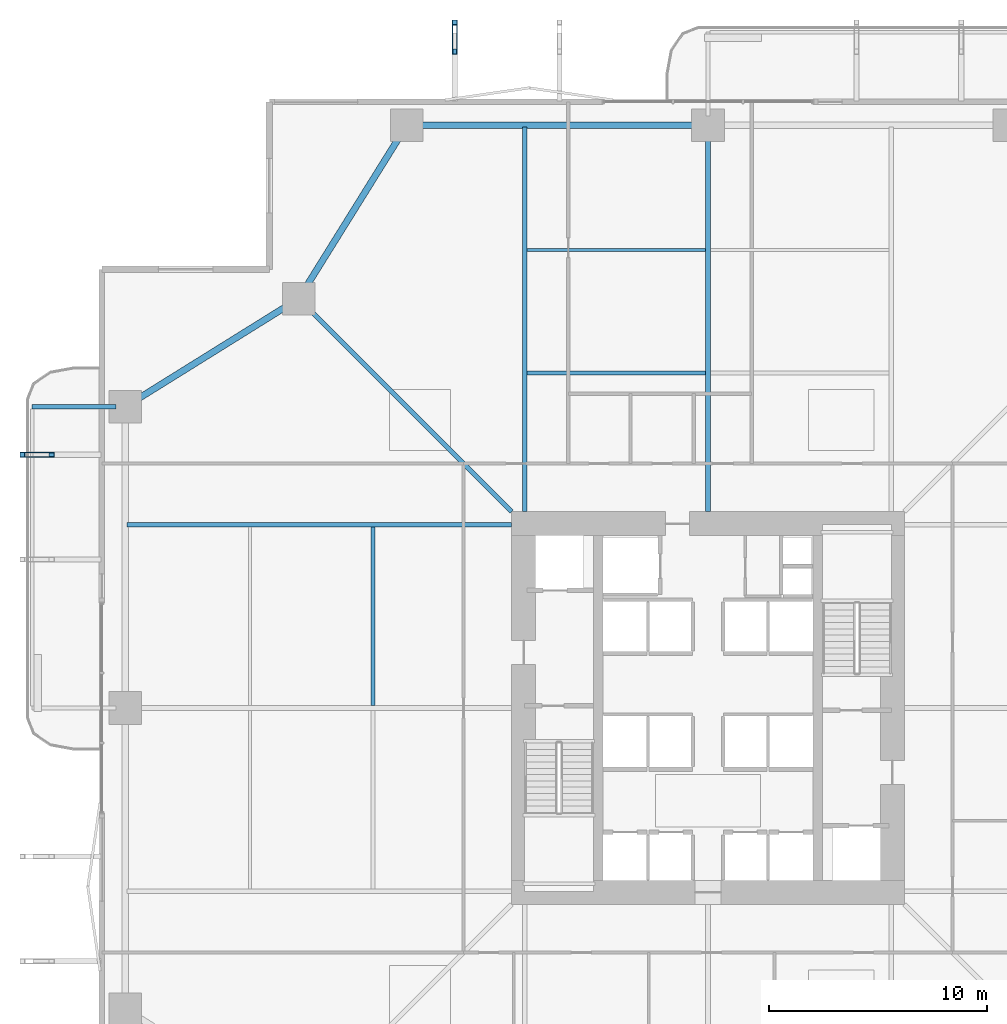
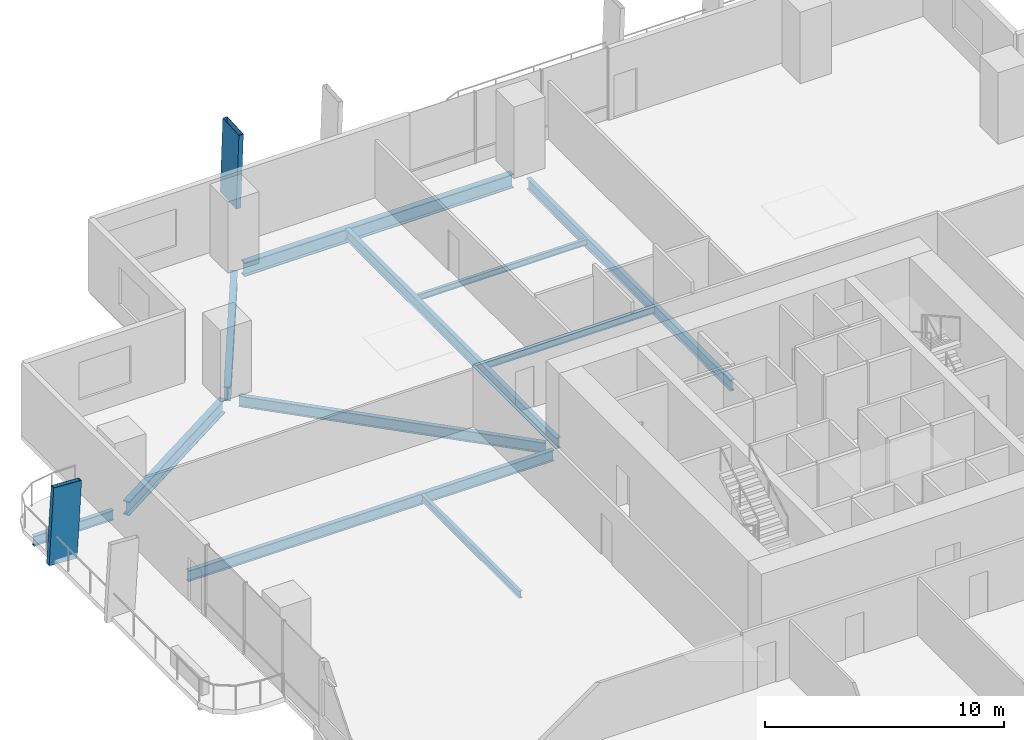
# One storey, part 10 of 23: 11 beams, 2 members.
"""IFC4 building model written with IfcOpenShell, lengths in metres."""

from ifc_helpers import new_model, si_unit, direction, frame, origin, origin_2d, place, context, subcontext, project, spatial, hollow_rectangle, i_section, extrude, material, material_profile, profile_set, type_object, element, save


model = new_model("IFC4")

# Units and contexts
model_context = context("Model", 3, precision=1e-05, world=origin(), true_north=direction((0.0, 1.0)))
body_context = subcontext(model_context, "Body", "Model", "MODEL_VIEW")
ifc_project = project(units=[si_unit("LENGTHUNIT", "METRE"), si_unit("AREAUNIT", "SQUARE_METRE"), si_unit("VOLUMEUNIT", "CUBIC_METRE"), si_unit("PLANEANGLEUNIT", "RADIAN"), si_unit("MASSUNIT", "GRAM", prefix="KILO")], contexts=[model_context])

# Site, building, storey
site_placement = place(None, origin())
site = spatial("IfcSite", under=ifc_project, at=site_placement, CompositionType="ELEMENT")
building_placement = place(site_placement, origin())
building = spatial("IfcBuilding", under=site, at=building_placement, Name="Belovzor Exchange Tower", CompositionType="ELEMENT")
storey_placement = place(building_placement, frame((0.0, 0.0, 41.699951171875)))
storey = spatial("IfcBuildingStorey", under=building, at=storey_placement, Name="L09", CompositionType="ELEMENT", Elevation=41.699951171875)

# Members
ifc_material_1 = material(Name="Extruded Architectural Terracotta on Steel S355 Carrier", Category="masonry")
ifc_material_profile_1 = material_profile(ifc_material_1, hollow_rectangle(XDim=0.219970703125, YDim=1.35009765625, WallThickness=0.013916015625, at=origin_2d()))
ifc_profile_set_1 = profile_set([ifc_material_profile_1], Name="Extruded Architectural Terracotta on Steel S355 Carrier")
member_type = type_object("IfcMemberType", Name="Base Arc Sweeping Terracotta Pylon Fin 1450", PredefinedType="USERDEFINED", material=ifc_profile_set_1)
for number, where, z_axis, x_axis, name in (
    (1, (17.199951171875, 59.64599609375, -0.25), (0.0, -0.057619293609, 0.998338628424), (1.0, 0.0, 0.0), "FIN-TC145 Terracotta Facade Fin L09 N1"),
    (2, (-2.0458984375, 40.39990234375, -0.25), (0.05755700694, 0.0, 0.998342221361), (0.0, 1.0, 0.0), "FIN-TC145 Terracotta Facade Fin L09 W4"),
):
    element("IfcMember", number, at=place(storey_placement, frame(where, z_axis=z_axis, x_axis=x_axis)), inside=storey, type_object=member_type, Name=name, ObjectType="FIN", PredefinedType="USERDEFINED", context=body_context, shape_type="SweptSolid", body=[
        extrude(hollow_rectangle(XDim=0.219970703125, YDim=1.35009765625, WallThickness=0.013916015625, at=origin_2d()), origin(), (0.0, 0.0, 1.0), 3.90673828125),
    ])

# Beams
ifc_material_2 = material(Name="Steel S355", Category="steel")
ifc_material_profile_2 = material_profile(ifc_material_2, i_section(OverallWidth=0.199951171875, OverallDepth=0.5, WebThickness=0.01025390625, FlangeThickness=0.01611328125, at=origin_2d()))
ifc_profile_set_2 = profile_set([ifc_material_profile_2], Name="Steel S355")
beam_type_1 = type_object("IfcBeamType", Name="Planted Balcony Cantilever Beam IPE 500", PredefinedType="BEAM", material=ifc_profile_set_2)
beam_1_placement = place(storey_placement, frame((1.68798828125, 42.60009765625, -0.5), z_axis=(-1.0, 0.0, 0.0), x_axis=(0.0, -1.0, 0.0)))
element("IfcBeam", 3, at=beam_1_placement, inside=storey, type_object=beam_type_1, Name="BC-500 Planted Balcony Cantilever Beam IPE 500", PredefinedType="BEAM", context=body_context, shape_type="SweptSolid", body=[
    extrude(i_section(OverallWidth=0.199951171875, OverallDepth=0.5, WebThickness=0.01025390625, FlangeThickness=0.01611328125, at=origin_2d()), origin(), (0.0, 0.0, 1.0), 3.85009765625),
])
ifc_material_3 = material(Name="Steel S355", Category="steel")
ifc_material_profile_3 = material_profile(ifc_material_3, i_section(OverallWidth=0.169921875, OverallDepth=0.360107421875, WebThickness=0.008056640625, FlangeThickness=0.0126953125, at=origin_2d()))
ifc_profile_set_3 = profile_set([ifc_material_profile_3], Name="Steel S355")
beam_type_2 = type_object("IfcBeamType", Name="Secondary Infill Floor Joist IPE 360", PredefinedType="BEAM", material=ifc_profile_set_3)
beam_2_placement = place(storey_placement, frame((20.5048828125, 44.14501953125, -0.429931640625), z_axis=(1.0, 0.0, 0.0), x_axis=(0.0, 1.0, 0.0)))
element("IfcBeam", 4, at=beam_2_placement, inside=storey, type_object=beam_type_2, Name="FJ-360 Secondary Infill Floor Joist IPE 360", PredefinedType="BEAM", context=body_context, shape_type="SweptSolid", body=[
    extrude(i_section(OverallWidth=0.169921875, OverallDepth=0.360107421875, WebThickness=0.008056640625, FlangeThickness=0.0126953125, at=origin_2d()), origin(), (0.0, 0.0, 1.0), 8.190185546875),
])
beam_3_placement = place(storey_placement, frame((13.455078125, 28.905029296875, -0.429931640625), z_axis=(0.0, 1.0, 0.0), x_axis=(-1.0, 0.0, 0.0)))
element("IfcBeam", 5, at=beam_3_placement, inside=storey, type_object=beam_type_2, Name="FJ-360 Secondary Infill Floor Joist IPE 360", PredefinedType="BEAM", context=body_context, shape_type="SweptSolid", body=[
    extrude(i_section(OverallWidth=0.169921875, OverallDepth=0.360107421875, WebThickness=0.008056640625, FlangeThickness=0.0126953125, at=origin_2d()), origin(), (0.0, 0.0, 1.0), 8.18994140625),
])
ifc_material_4 = material(Name="Steel S355", Category="steel")
ifc_material_profile_4 = material_profile(ifc_material_4, i_section(OverallWidth=0.14990234375, OverallDepth=0.300048828125, WebThickness=0.007080078125, FlangeThickness=0.0107421875, at=origin_2d()))
ifc_profile_set_4 = profile_set([ifc_material_profile_4], Name="Steel S355")
beam_type_3 = type_object("IfcBeamType", Name="Secondary Trim Floor Joist IPE 300", PredefinedType="BEAM", material=ifc_profile_set_4)
beam_4_placement = place(storey_placement, frame((20.5048828125, 49.784912109375, -0.39990234375), z_axis=(1.0, 0.0, 0.0), x_axis=(0.0, 1.0, 0.0)))
element("IfcBeam", 6, at=beam_4_placement, inside=storey, type_object=beam_type_3, Name="FJ-300 Secondary Trim Floor Joist IPE 300", PredefinedType="BEAM", context=body_context, shape_type="SweptSolid", body=[
    extrude(i_section(OverallWidth=0.14990234375, OverallDepth=0.300048828125, WebThickness=0.007080078125, FlangeThickness=0.0107421875, at=origin_2d()), origin(), (0.0, 0.0, 1.0), 8.190185546875),
])
ifc_material_5 = material(Name="Steel S355", Category="steel")
ifc_material_profile_5 = material_profile(ifc_material_5, i_section(OverallWidth=0.300048828125, OverallDepth=0.699951171875, WebThickness=0.01708984375, FlangeThickness=0.031982421875, at=origin_2d()))
ifc_profile_set_5 = profile_set([ifc_material_profile_5], Name="Steel S355")
beam_type_4 = type_object("IfcBeamType", Name="Zone 1 Primary Perimeter Girder HEB 700", PredefinedType="BEAM", material=ifc_profile_set_5)
beam_5_placement = place(storey_placement, frame((28.386962890625, 55.5, -0.599853515625), z_axis=(-1.0, 0.0, 0.0), x_axis=(0.0, -1.0, 0.0)))
element("IfcBeam", 7, at=beam_5_placement, inside=storey, type_object=beam_type_4, Name="FG-Z1 Zone 1 Primary Perimeter Girder HEB 700", PredefinedType="BEAM", context=body_context, shape_type="SweptSolid", body=[
    extrude(i_section(OverallWidth=0.300048828125, OverallDepth=0.699951171875, WebThickness=0.01708984375, FlangeThickness=0.031982421875, at=origin_2d()), origin(), (0.0, 0.0, 1.0), 12.974853515625),
])
for number, where, z_axis, x_axis, name in (
    (8, (14.781982421875, 55.14990234375, -0.599853515625), (-0.528538629686, -0.848909251292, 0.0), (0.848909251292, -0.528538629686, 0.0), "FG-Z1 Zone 1 Primary Perimeter Girder HEB 700"),
    (9, (9.699951171875, 47.33203125, -0.599853515625), (-0.848909251292, -0.528538629686, 0.0), (0.528538629686, -0.848909251292, 0.0), "FG-Z1 Zone 1 Primary Perimeter Girder HEB 700"),
):
    element("IfcBeam", number, at=place(storey_placement, frame(where, z_axis=z_axis, x_axis=x_axis)), inside=storey, type_object=beam_type_4, Name=name, PredefinedType="BEAM", context=body_context, shape_type="SweptSolid", body=[
        extrude(i_section(OverallWidth=0.300048828125, OverallDepth=0.699951171875, WebThickness=0.01708984375, FlangeThickness=0.031982421875, at=origin_2d()), origin(), (0.0, 0.0, 1.0), 8.540283203125),
    ])
ifc_material_6 = material(Name="Steel S355", Category="steel")
ifc_material_profile_6 = material_profile(ifc_material_6, i_section(OverallWidth=0.2099609375, OverallDepth=0.550048828125, WebThickness=0.010986328125, FlangeThickness=0.01708984375, at=origin_2d()))
ifc_profile_set_6 = profile_set([ifc_material_profile_6], Name="Steel S355")
beam_type_5 = type_object("IfcBeamType", Name="Zone 1 Radial Composite Floor Beam IPE 550", PredefinedType="BEAM", material=ifc_profile_set_6)
beam_6_placement = place(storey_placement, frame((20.39990234375, 37.800048828125, -0.52490234375), z_axis=(0.0, 1.0, 0.0), x_axis=(-1.0, 0.0, 0.0)))
element("IfcBeam", 10, at=beam_6_placement, inside=storey, type_object=beam_type_5, Name="FB-550 Zone 1 Radial Composite Floor Beam IPE 550", PredefinedType="BEAM", context=body_context, shape_type="SweptSolid", body=[
    extrude(i_section(OverallWidth=0.2099609375, OverallDepth=0.550048828125, WebThickness=0.010986328125, FlangeThickness=0.01708984375, at=origin_2d()), origin(), (0.0, 0.0, 1.0), 17.625),
])
beam_7_placement = place(storey_placement, frame((28.800048828125, 37.800048828125, -0.52490234375), z_axis=(0.0, 1.0, 0.0), x_axis=(-1.0, 0.0, 0.0)))
element("IfcBeam", 11, at=beam_7_placement, inside=storey, type_object=beam_type_5, Name="FB-550 Zone 1 Radial Composite Floor Beam IPE 550", PredefinedType="BEAM", context=body_context, shape_type="SweptSolid", body=[
    extrude(i_section(OverallWidth=0.2099609375, OverallDepth=0.550048828125, WebThickness=0.010986328125, FlangeThickness=0.01708984375, at=origin_2d()), origin(), (0.0, 0.0, 1.0), 17.0400390625),
])
beam_8_placement = place(storey_placement, frame((19.800048828125, 37.199951171875, -0.52490234375), z_axis=(-1.0, 0.0, 0.0), x_axis=(0.0, -1.0, 0.0)))
element("IfcBeam", 12, at=beam_8_placement, inside=storey, type_object=beam_type_5, Name="FB-550 Zone 1 Radial Composite Floor Beam IPE 550", PredefinedType="BEAM", context=body_context, shape_type="SweptSolid", body=[
    extrude(i_section(OverallWidth=0.2099609375, OverallDepth=0.550048828125, WebThickness=0.010986328125, FlangeThickness=0.01708984375, at=origin_2d()), origin(), (0.0, 0.0, 1.0), 17.625),
])
beam_9_placement = place(storey_placement, frame((19.800048828125, 37.800048828125, -0.52490234375), z_axis=(-0.707106781187, 0.707106781187, 0.0), x_axis=(-0.707106781187, -0.707106781187, 0.0)))
element("IfcBeam", 13, at=beam_9_placement, inside=storey, type_object=beam_type_5, Name="FB-550 Zone 1 Radial Composite Floor Beam IPE 550", PredefinedType="BEAM", context=body_context, shape_type="SweptSolid", body=[
    extrude(i_section(OverallWidth=0.2099609375, OverallDepth=0.550048828125, WebThickness=0.010986328125, FlangeThickness=0.01708984375, at=origin_2d()), origin(), (0.0, 0.0, 1.0), 13.25830078125),
])

save(model, "model.ifc")
